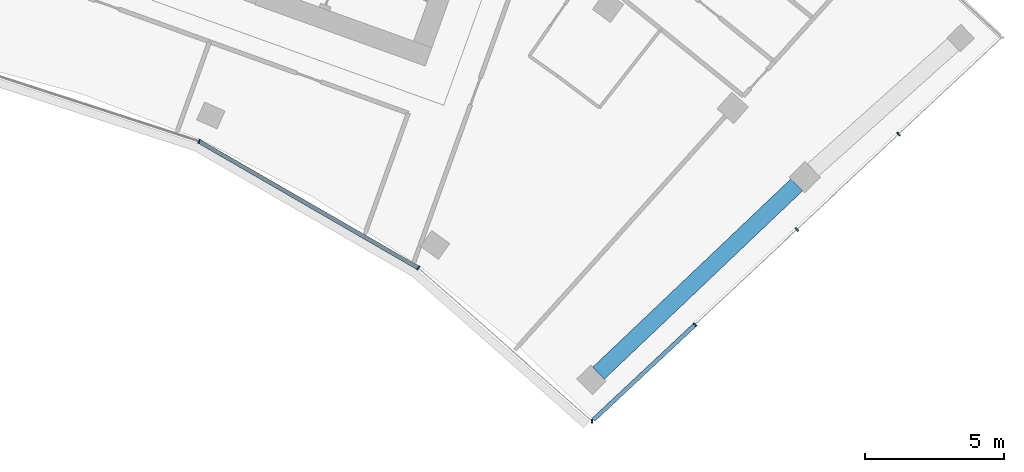
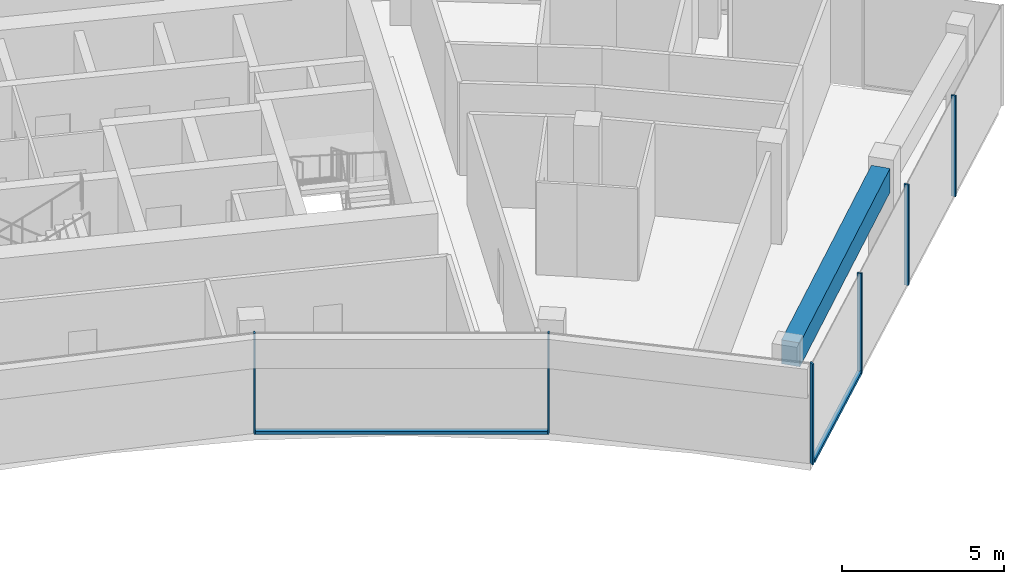
# One storey, part 8 of 19: 8 members, 1 beam, 2 elements without a shape of their own.
"""IFC4 building model written with IfcOpenShell, lengths in metres."""

from ifc_helpers import new_model, si_unit, direction, frame, origin, origin_2d, place, context, subcontext, project, spatial, rectangle, extrude, material, layer, layer_set, material_profile, profile_set, type_object, element, aggregate, save


model = new_model("IFC4")

# Units and contexts
model_context = context("Model", 3, precision=1e-05, world=origin(), true_north=direction((0.0, 1.0)))
body_context = subcontext(model_context, "Body", "Model", "MODEL_VIEW")
ifc_project = project(units=[si_unit("LENGTHUNIT", "METRE"), si_unit("AREAUNIT", "SQUARE_METRE"), si_unit("VOLUMEUNIT", "CUBIC_METRE"), si_unit("PLANEANGLEUNIT", "RADIAN"), si_unit("MASSUNIT", "GRAM", prefix="KILO")], contexts=[model_context])

# Site, building, storey
site_placement = place(None, origin())
site = spatial("IfcSite", under=ifc_project, at=site_placement, CompositionType="ELEMENT")
building_placement = place(site_placement, origin())
building = spatial("IfcBuilding", under=site, at=building_placement, Name="Stone Belt Terrace Tower", CompositionType="ELEMENT")
storey_placement = place(building_placement, frame((0.0, 0.0, 292.199951171875)))
storey = spatial("IfcBuildingStorey", under=building, at=storey_placement, Name="L71", CompositionType="ELEMENT", Elevation=292.199951171875)

# Curtain wall, members
ifc_material_1 = material(Name="Aluminium 6063-T6 anodised frame", Category="aluminium")
ifc_layer_1 = layer(ifc_material_1, 0.14990234375)
ifc_layer_set_1 = layer_set([ifc_layer_1], Name="CW-B unitised concave-face curtain wall")
curtain_wall_type_1 = type_object("IfcCurtainWallType", Name="CW-B unitised concave-face curtain wall", PredefinedType="NOTDEFINED", material=ifc_layer_set_1)
curtain_wall_1_placement = place(storey_placement, origin())
curtain_wall_1 = element("IfcCurtainWall", 1, at=curtain_wall_1_placement, inside=storey, type_object=curtain_wall_type_1, Name="CW-B concave face L71", PredefinedType="NOTDEFINED")
ifc_material_profile_1 = material_profile(ifc_material_1, rectangle(XDim=0.14990234375, YDim=0.050048828125, at=origin_2d()), Name="Aluminium 6063-T6 50x150")
ifc_profile_set_1 = profile_set([ifc_material_profile_1], Name="Aluminium 6063-T6 anodised frame")
member_type_1 = type_object("IfcMemberType", Name="CW-B mullion 50 x 150", PredefinedType="MULLION", material=ifc_profile_set_1)
member_1_placement = place(storey_placement, frame((17.662353515625, 39.67041015625, 0.0), z_axis=(0.0, 0.0, 1.0), x_axis=(0.406736643076, 0.913545457643, 0.0)))
member_1 = element("IfcMember", 2, at=member_1_placement, type_object=member_type_1, Name="CW-B mullion 7", PredefinedType="MULLION", context=body_context, shape_type="SweptSolid", body=[
    extrude(rectangle(XDim=0.14990234375, YDim=0.050048828125, at=origin_2d()), origin(), (0.0, 0.0, 1.0), 3.800048828125),
])
member_2_placement = place(storey_placement, frame((25.524658203125, 35.131103515625, 0.0), z_axis=(0.0, 0.0, 1.0), x_axis=(0.583818854632, 0.811883947973, 0.0)))
member_2 = element("IfcMember", 3, at=member_2_placement, type_object=member_type_1, Name="CW-B mullion 8", PredefinedType="MULLION", context=body_context, shape_type="SweptSolid", body=[
    extrude(rectangle(XDim=0.14990234375, YDim=0.050048828125, at=origin_2d()), origin(), (0.0, 0.0, 1.0), 3.800048828125),
])
ifc_material_profile_2 = material_profile(ifc_material_1, rectangle(XDim=0.14990234375, YDim=0.1201171875, at=origin_2d()), Name="Aluminium 6063-T6 150x120")
ifc_profile_set_2 = profile_set([ifc_material_profile_2], Name="Aluminium 6063-T6 anodised frame")
member_type_2 = type_object("IfcMemberType", Name="CW-B transom 120 x 150", PredefinedType="USERDEFINED", material=ifc_profile_set_2)
member_3_placement = place(storey_placement, frame((17.690673828125, 39.654052734375, 0.06005859375), z_axis=(0.866020948727, -0.500007716307, 0.0), x_axis=(0.500007716307, 0.866020948727, 0.0)))
member_3 = element("IfcMember", 4, at=member_3_placement, type_object=member_type_2, Name="CW-B transom 7.1", ObjectType="TRANSOM", PredefinedType="USERDEFINED", context=body_context, shape_type="SweptSolid", body=[
    extrude(rectangle(XDim=0.14990234375, YDim=0.1201171875, at=origin_2d()), origin(), (0.0, 0.0, 1.0), 9.013427734375),
])
aggregate(curtain_wall_1, [member_1, member_2, member_3])

ifc_layer_2 = layer(ifc_material_1, 0.14990234375)
ifc_layer_set_2 = layer_set([ifc_layer_2], Name="CW-C stick curtain wall, horn ends and notches")
curtain_wall_type_2 = type_object("IfcCurtainWallType", Name="CW-C stick curtain wall, horn ends and notches", PredefinedType="NOTDEFINED", material=ifc_layer_set_2)
curtain_wall_2_placement = place(storey_placement, origin())
curtain_wall_2 = element("IfcCurtainWall", 5, at=curtain_wall_2_placement, inside=storey, type_object=curtain_wall_type_2, Name="CW-C end face L71", PredefinedType="NOTDEFINED")
ifc_material_profile_3 = material_profile(ifc_material_1, rectangle(XDim=0.14990234375, YDim=0.06005859375, at=origin_2d()), Name="Aluminium 6063-T6 60x150")
ifc_profile_set_3 = profile_set([ifc_material_profile_3], Name="Aluminium 6063-T6 anodised frame")
member_type_3 = type_object("IfcMemberType", Name="CW-C mullion 60 x 150", PredefinedType="MULLION", material=ifc_profile_set_3)
member_4_placement = place(storey_placement, frame((31.75244140625, 29.633056640625, 0.0), z_axis=(0.0, 0.0, 1.0), x_axis=(-0.014681639593, 0.999892218921, 0.0)))
member_4 = element("IfcMember", 6, at=member_4_placement, type_object=member_type_3, Name="CW-C mullion 1", PredefinedType="MULLION", context=body_context, shape_type="SweptSolid", body=[
    extrude(rectangle(XDim=0.14990234375, YDim=0.06005859375, at=origin_2d()), origin(), (0.0, 0.0, 1.0), 3.800048828125),
])
member_5_placement = place(storey_placement, frame((35.45166015625, 33.097412109375, 0.0), z_axis=(0.0, 0.0, 1.0), x_axis=(-0.683549434973, 0.729904219708, 0.0)))
member_5 = element("IfcMember", 7, at=member_5_placement, type_object=member_type_3, Name="CW-C mullion 2", PredefinedType="MULLION", context=body_context, shape_type="SweptSolid", body=[
    extrude(rectangle(XDim=0.14990234375, YDim=0.06005859375, at=origin_2d()), origin(), (0.0, 0.0, 1.0), 3.800048828125),
])
member_6_placement = place(storey_placement, frame((39.10107421875, 36.51513671875, 0.0), z_axis=(0.0, 0.0, 1.0), x_axis=(-0.683549434973, 0.729904219708, 0.0)))
member_6 = element("IfcMember", 8, at=member_6_placement, type_object=member_type_3, Name="CW-C mullion 3", PredefinedType="MULLION", context=body_context, shape_type="SweptSolid", body=[
    extrude(rectangle(XDim=0.14990234375, YDim=0.06005859375, at=origin_2d()), origin(), (0.0, 0.0, 1.0), 3.800048828125),
])
member_7_placement = place(storey_placement, frame((42.750732421875, 39.932861328125, 0.0), z_axis=(0.0, 0.0, 1.0), x_axis=(-0.683549434973, 0.729904219708, 0.0)))
member_7 = element("IfcMember", 9, at=member_7_placement, type_object=member_type_3, Name="CW-C mullion 4", PredefinedType="MULLION", context=body_context, shape_type="SweptSolid", body=[
    extrude(rectangle(XDim=0.14990234375, YDim=0.06005859375, at=origin_2d()), origin(), (0.0, 0.0, 1.0), 3.800048828125),
])
ifc_material_profile_4 = material_profile(ifc_material_1, rectangle(XDim=0.14990234375, YDim=0.1201171875, at=origin_2d()), Name="Aluminium 6063-T6 150x120")
ifc_profile_set_4 = profile_set([ifc_material_profile_4], Name="Aluminium 6063-T6 anodised frame")
member_type_4 = type_object("IfcMemberType", Name="CW-C transom 120 x 150", PredefinedType="USERDEFINED", material=ifc_profile_set_4)
member_8_placement = place(storey_placement, frame((31.805419921875, 29.6826171875, 0.06005859375), z_axis=(0.72988516347, 0.683569782938, 0.0), x_axis=(-0.683569782938, 0.72988516347, 0.0)))
member_8 = element("IfcMember", 10, at=member_8_placement, type_object=member_type_4, Name="CW-C transom 1.1", ObjectType="TRANSOM", PredefinedType="USERDEFINED", context=body_context, shape_type="SweptSolid", body=[
    extrude(rectangle(XDim=0.14990234375, YDim=0.1201171875, at=origin_2d()), origin(), (0.0, 0.0, 1.0), 4.965576171875),
])
aggregate(curtain_wall_2, [member_4, member_5, member_6, member_7, member_8])

# Beam
ifc_material_2 = material(Name="Concrete B60", Category="concrete")
ifc_material_profile_5 = material_profile(ifc_material_2, rectangle(XDim=0.60009765625, YDim=0.89990234375, at=origin_2d()), Name="RC 600x900")
ifc_profile_set_5 = profile_set([ifc_material_profile_5], Name="Concrete B60")
beam_type = type_object("IfcBeamType", Name="Edge beam RC 600x900 B60", PredefinedType="SPANDREL", material=ifc_profile_set_5)
beam_placement = place(storey_placement, frame((31.98876953125, 31.35791015625, 3.030029296875), z_axis=(0.72502367576, 0.688723942946, 0.0), x_axis=(-0.688723942946, 0.72502367576, 0.0)))
element("IfcBeam", 11, at=beam_placement, inside=storey, type_object=beam_type, Name="Edge beam L71 B P to Q", PredefinedType="SPANDREL", context=body_context, shape_type="SweptSolid", body=[
    extrude(rectangle(XDim=0.60009765625, YDim=0.89990234375, at=origin_2d()), origin(), (0.0, 0.0, 1.0), 9.80615234375),
])

save(model, "model.ifc")
